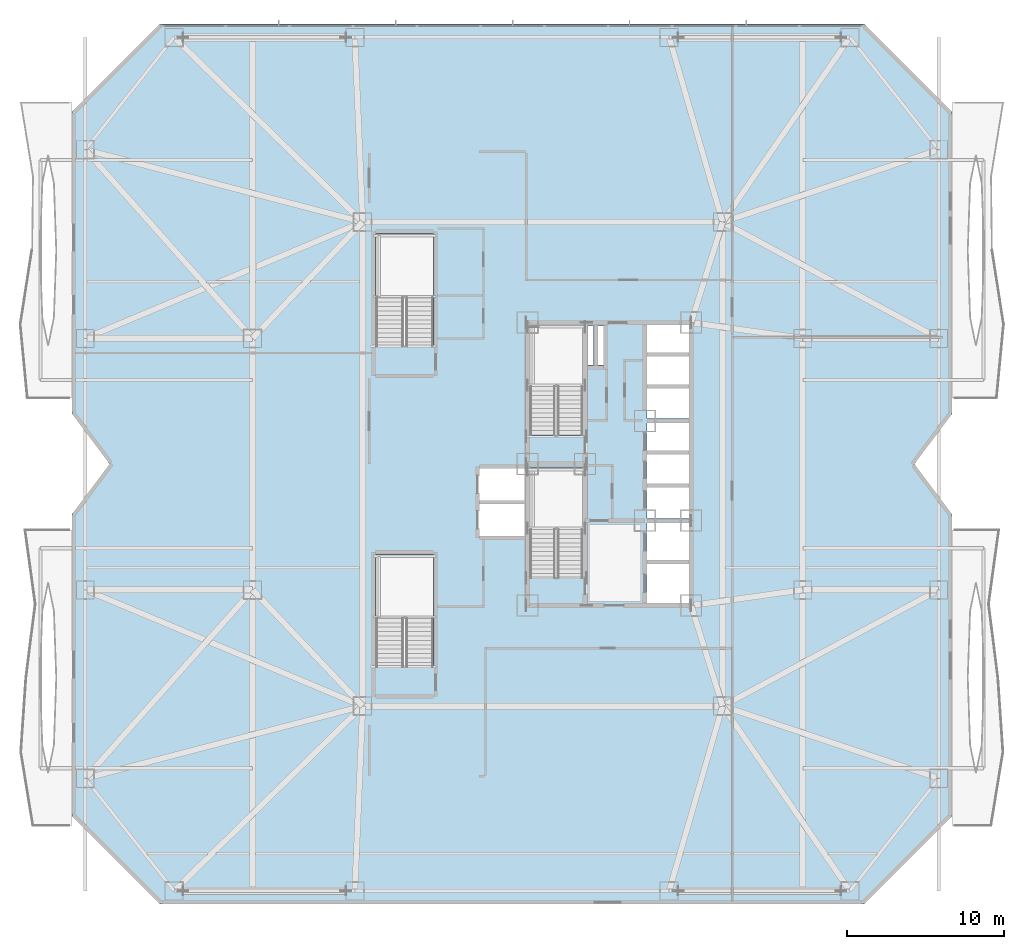
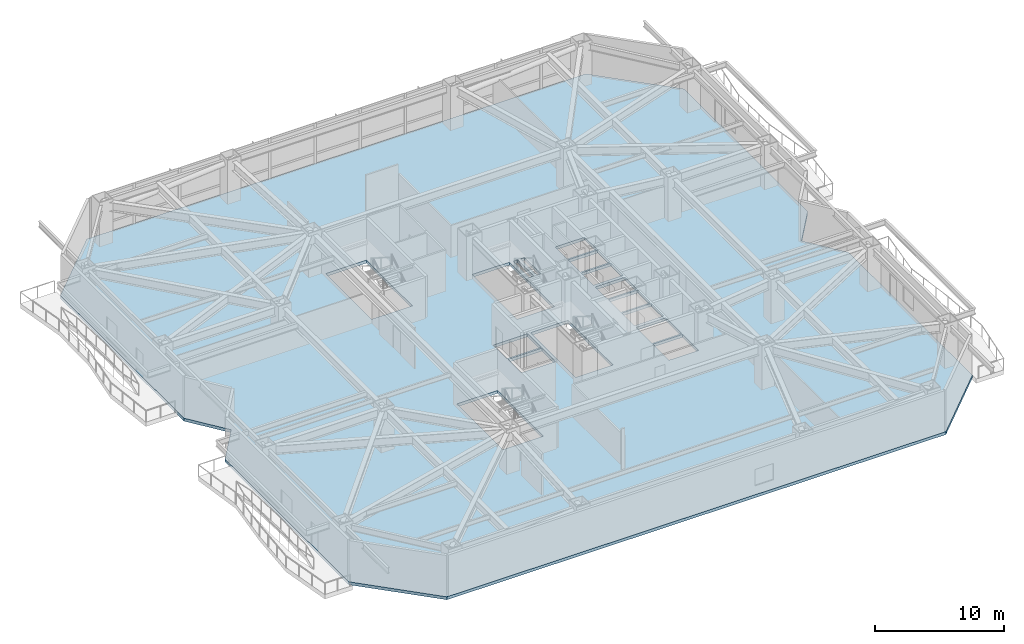
# One storey, part 10 of 24: 1 slab.
"""IFC4 building model written with IfcOpenShell, lengths in metres."""

from ifc_helpers import new_model, si_unit, direction, frame, origin, place, context, subcontext, project, spatial, polyline, outline, extrude, material, layer, layer_set, type_object, element, save


model = new_model("IFC4")

# Units and contexts
model_context = context("Model", 3, precision=1e-05, world=origin(), true_north=direction((0.0, 1.0)))
body_context = subcontext(model_context, "Body", "Model", "MODEL_VIEW")
ifc_project = project(units=[si_unit("LENGTHUNIT", "METRE"), si_unit("AREAUNIT", "SQUARE_METRE"), si_unit("VOLUMEUNIT", "CUBIC_METRE"), si_unit("PLANEANGLEUNIT", "RADIAN"), si_unit("MASSUNIT", "GRAM", prefix="KILO")], contexts=[model_context])

# Site, building, storey
site_placement = place(None, origin())
site = spatial("IfcSite", under=ifc_project, at=site_placement, CompositionType="ELEMENT")
building_placement = place(site_placement, origin())
building = spatial("IfcBuilding", under=site, at=building_placement, Name="Khamvora Tower", CompositionType="ELEMENT")
storey_placement = place(building_placement, frame((0.0, 0.0, 20.39990234375)))
storey = spatial("IfcBuildingStorey", under=building, at=storey_placement, Name="L04", CompositionType="ELEMENT", Elevation=20.39990234375)

# Slab
ifc_material = material(Name="Concrete C35/45", Category="concrete")
ifc_layer = layer(ifc_material, 0.280029296875)
ifc_layer_set = layer_set([ifc_layer], Name="Concrete C35/45")
slab_type = type_object("IfcSlabType", Name="SLB-SCH-280", PredefinedType="FLOOR", material=ifc_layer_set)
slab_placement = place(storey_placement, frame((0.0, 0.0, -0.27978515625)))
element("IfcSlab", 1, at=slab_placement, inside=storey, type_object=slab_type, Name="L04 structural floor slab", PredefinedType="FLOOR", context=body_context, shape_type="SweptSolid", body=[
    extrude(outline(polyline([(5.60009765625, 0.0), (50.39990234375, 0.0), (56.0, 5.60009765625), (56.0, 24.800048828125), (53.60009765625, 28.0), (56.0, 31.199951171875), (56.0, 50.39990234375), (50.39990234375, 56.0), (5.60009765625, 56.0), (0.0, 50.39990234375), (0.0, 31.199951171875), (2.39990234375, 28.0), (0.0, 24.800048828125), (0.0, 5.60009765625), (5.60009765625, 0.0)]), holes=[polyline([(32.5, 20.760009765625), (32.5, 27.75), (29.14990234375, 27.75), (29.14990234375, 20.760009765625), (32.5, 20.760009765625)]), polyline([(32.5, 29.860107421875), (32.5, 36.85009765625), (29.14990234375, 36.85009765625), (29.14990234375, 29.860107421875), (32.5, 29.860107421875)]), polyline([(23.0, 15.110107421875), (23.0, 22.25), (19.35009765625, 22.25), (19.35009765625, 15.110107421875), (23.0, 15.110107421875)]), polyline([(23.0, 35.510009765625), (23.0, 42.64990234375), (19.35009765625, 42.64990234375), (19.35009765625, 35.510009765625), (23.0, 35.510009765625)]), polyline([(36.60009765625, 19.14990234375), (39.25, 19.14990234375), (39.25, 21.64990234375), (36.60009765625, 21.64990234375), (36.60009765625, 19.14990234375)]), polyline([(36.60009765625, 21.800048828125), (39.25, 21.800048828125), (39.25, 24.25), (36.60009765625, 24.25), (36.60009765625, 21.800048828125)]), polyline([(36.60009765625, 24.550048828125), (39.25, 24.550048828125), (39.25, 26.5), (36.60009765625, 26.5), (36.60009765625, 24.550048828125)]), polyline([(36.60009765625, 26.64990234375), (39.25, 26.64990234375), (39.25, 28.60009765625), (36.60009765625, 28.60009765625), (36.60009765625, 26.64990234375)]), polyline([(36.60009765625, 28.75), (39.25, 28.75), (39.25, 30.60009765625), (36.60009765625, 30.60009765625), (36.60009765625, 28.75)]), polyline([(36.60009765625, 30.89990234375), (39.25, 30.89990234375), (39.25, 32.800048828125), (36.60009765625, 32.800048828125), (36.60009765625, 30.89990234375)]), polyline([(36.60009765625, 32.949951171875), (39.25, 32.949951171875), (39.25, 34.85009765625), (36.60009765625, 34.85009765625), (36.60009765625, 32.949951171875)]), polyline([(36.60009765625, 35.0), (39.25, 35.0), (39.25, 36.85009765625), (36.60009765625, 36.85009765625), (36.60009765625, 35.0)]), polyline([(25.800048828125, 23.39990234375), (28.85009765625, 23.39990234375), (28.85009765625, 25.5), (25.800048828125, 25.5), (25.800048828125, 23.39990234375)]), polyline([(25.800048828125, 25.64990234375), (28.85009765625, 25.64990234375), (28.85009765625, 27.75), (25.800048828125, 27.75), (25.800048828125, 25.64990234375)]), polyline([(32.800048828125, 34.300048828125), (33.199951171875, 34.300048828125), (33.199951171875, 36.800048828125), (32.800048828125, 36.800048828125), (32.800048828125, 34.300048828125)]), polyline([(33.47998046875, 34.300048828125), (33.820068359375, 34.300048828125), (33.820068359375, 36.800048828125), (33.47998046875, 36.800048828125), (33.47998046875, 34.300048828125)])]), origin(), (0.0, 0.0, 1.0), 0.27978515625),
])

save(model, "model.ifc")
